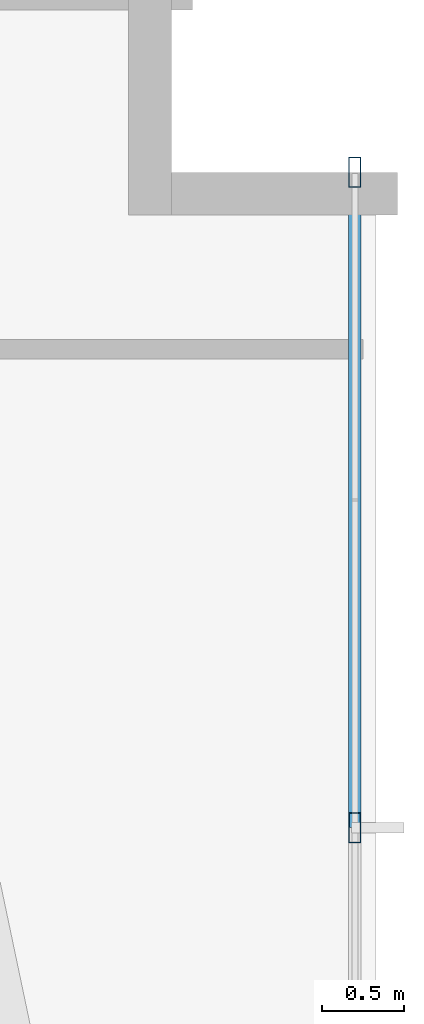
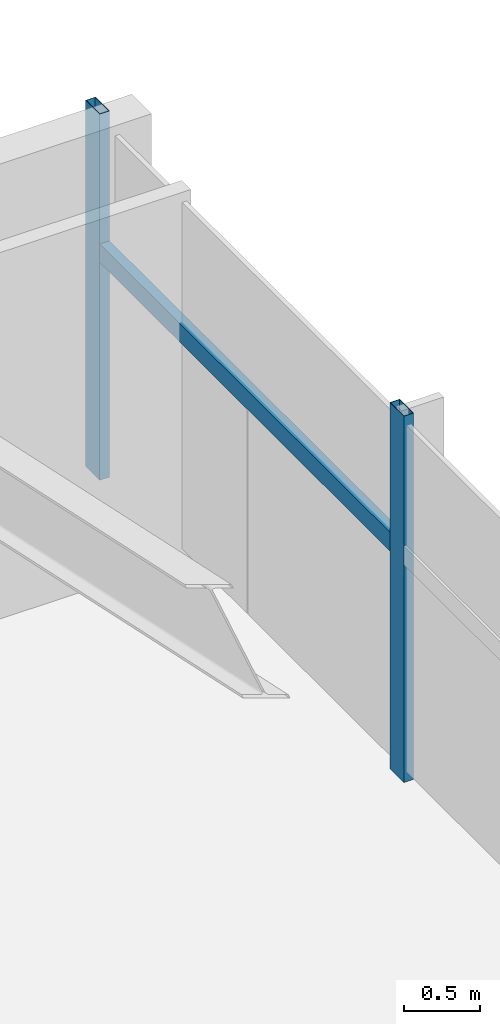
# One storey, part 17 of 25: 3 members, 1 element without a shape of its own.
"""IFC4 building model written with IfcOpenShell, lengths in metres."""

from ifc_helpers import new_model, si_unit, direction, frame, origin, origin_2d, place, context, subcontext, project, spatial, hollow_rectangle, extrude, source, transform, mapped, material, material_profile, profile_set, type_object, type_shapes, element, aggregate, save


model = new_model("IFC4")

# Units and contexts
model_context = context("Model", 3, precision=1e-05, world=origin(), true_north=direction((0.0, 1.0)))
body_context = subcontext(model_context, "Body", "Model", "MODEL_VIEW")
ifc_project = project(units=[si_unit("LENGTHUNIT", "METRE"), si_unit("AREAUNIT", "SQUARE_METRE"), si_unit("VOLUMEUNIT", "CUBIC_METRE"), si_unit("PLANEANGLEUNIT", "RADIAN"), si_unit("MASSUNIT", "GRAM", prefix="KILO")], contexts=[model_context])

# Site, building, storey
site_placement = place(None, origin())
site = spatial("IfcSite", under=ifc_project, at=site_placement, CompositionType="ELEMENT")
building_placement = place(site_placement, origin())
building = spatial("IfcBuilding", under=site, at=building_placement, Name="Astriad Promenade Condominiums", CompositionType="ELEMENT")
storey_placement = place(building_placement, frame((0.0, 0.0, 45.39990234375)))
storey = spatial("IfcBuildingStorey", under=building, at=storey_placement, Name="L12", CompositionType="ELEMENT", Elevation=45.39990234375)

# Curtain wall, members
ifc_material_1 = material(Name="Anodised aluminium Black Dark Glass Unitised", Category="aluminium")
curtain_wall_type = type_object("IfcCurtainWallType", Name="CW-B1-DARK", PredefinedType="USERDEFINED", material=ifc_material_1)
curtain_wall_placement = place(storey_placement, origin())
curtain_wall = element("IfcCurtainWall", 1, at=curtain_wall_placement, inside=storey, type_object=curtain_wall_type, Name="CW-L12-E", ObjectType="UNITISED_CURTAIN_WALL", PredefinedType="USERDEFINED")
ifc_material_2 = material(Name="Anodised aluminium 6063-T6 Black", Category="aluminium")
ifc_material_profile_1 = material_profile(ifc_material_2, hollow_rectangle(XDim=0.074951171875, YDim=0.14990234375, WallThickness=0.004150390625, at=origin_2d()), Name="ALU-TRN-75X150")
ifc_profile_set_1 = profile_set([ifc_material_profile_1], Name="Anodised aluminium 6063-T6 Black")
member_type_1 = type_object("IfcMemberType", Name="TRN-ALU-TRN-75X150", PredefinedType="USERDEFINED", material=ifc_profile_set_1)
shared_shape_1 = source(origin(), body_context, "Body", "SweptSolid", [
    extrude(hollow_rectangle(XDim=0.074951171875, YDim=0.14990234375, WallThickness=0.004150390625, at=origin_2d()), origin(), (0.0, 0.0, 1.0), 4.0),
])
type_shapes(member_type_1, [shared_shape_1])
member_1_placement = place(storey_placement, frame((59.669921875, 25.199951171875, 1.822998046875), z_axis=(0.0, -1.0, 0.0), x_axis=(1.0, 0.0, 0.0)))
member_1 = element("IfcMember", 2, at=member_1_placement, type_object=member_type_1, Name="CW-L12-E-TRN-00-0", ObjectType="TRANSOM", PredefinedType="USERDEFINED", context=body_context, shape_type="MappedRepresentation", body=[
    mapped(shared_shape_1, transform((0.0, 0.0, 0.0), scale=1.0)),
])
ifc_material_profile_2 = material_profile(ifc_material_2, hollow_rectangle(XDim=0.074951171875, YDim=0.18505859375, WallThickness=0.00439453125, at=origin_2d()), Name="ALU-MUL-75X185")
ifc_profile_set_2 = profile_set([ifc_material_profile_2], Name="Anodised aluminium 6063-T6 Black")
member_type_2 = type_object("IfcMemberType", Name="MUL-ALU-MUL-75X185", PredefinedType="MULLION", material=ifc_profile_set_2)
shared_shape_2 = source(origin(), body_context, "Body", "SweptSolid", [
    extrude(hollow_rectangle(XDim=0.074951171875, YDim=0.18505859375, WallThickness=0.00439453125, at=origin_2d()), origin(), (0.0, 0.0, 1.0), 2.940185546875),
])
type_shapes(member_type_2, [shared_shape_2])
member_2_placement = place(storey_placement, frame((59.669921875, 25.199951171875, 0.0), z_axis=(0.0, 0.0, 1.0), x_axis=(1.0, 0.0, 0.0)))
member_2 = element("IfcMember", 3, at=member_2_placement, type_object=member_type_2, Name="CW-L12-E-MUL-00", PredefinedType="MULLION", context=body_context, shape_type="MappedRepresentation", body=[
    mapped(shared_shape_2, transform((0.0, 0.0, 0.0), scale=1.0)),
])
member_3_placement = place(storey_placement, frame((59.669921875, 21.199951171875, 0.0), z_axis=(0.0, 0.0, 1.0), x_axis=(1.0, 0.0, 0.0)))
member_3 = element("IfcMember", 4, at=member_3_placement, type_object=member_type_2, Name="CW-L12-E-MUL-01", PredefinedType="MULLION", context=body_context, shape_type="MappedRepresentation", body=[
    mapped(shared_shape_2, transform((0.0, 0.0, 0.0), scale=1.0)),
])
aggregate(curtain_wall, [member_2, member_3, member_1])

save(model, "model.ifc")
